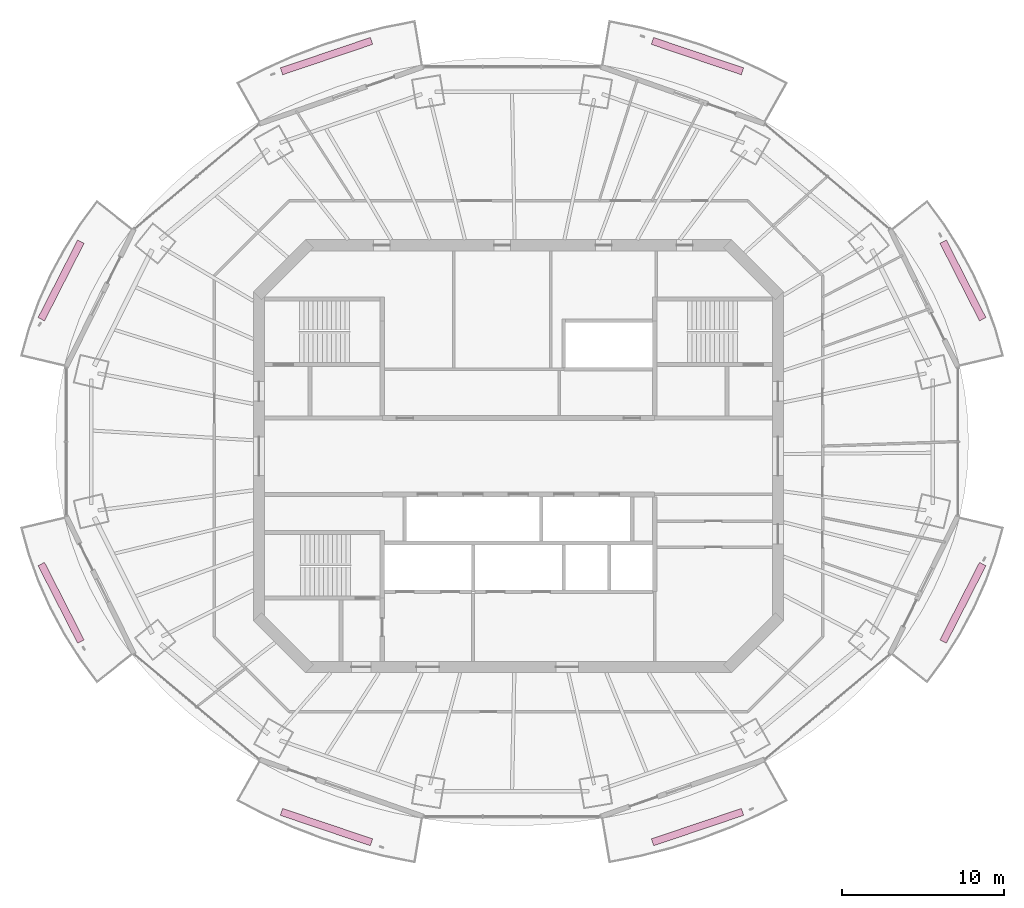
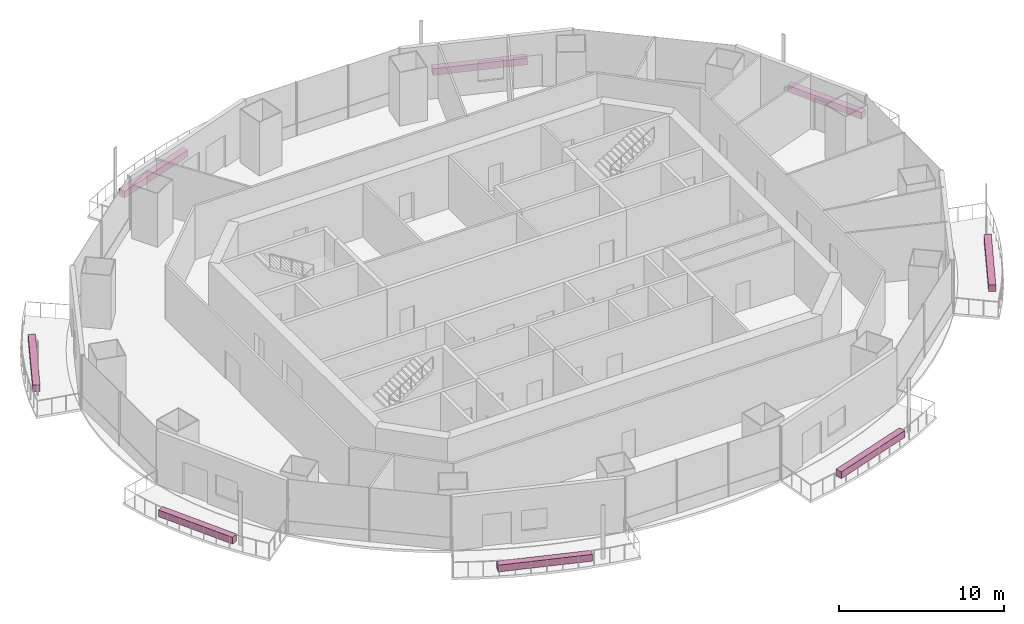
# One storey, part 16 of 16: 8 furnishings.
"""IFC4 building model written with IfcOpenShell, lengths in metres."""

from ifc_helpers import new_model, si_unit, direction, frame, origin, origin_2d, place, context, subcontext, project, spatial, rectangle, extrude, material, type_object, element, save


model = new_model("IFC4")

# Units and contexts
model_context = context("Model", 3, precision=1e-05, world=origin(), true_north=direction((0.0, 1.0)))
body_context = subcontext(model_context, "Body", "Model", "MODEL_VIEW")
ifc_project = project(units=[si_unit("LENGTHUNIT", "METRE"), si_unit("AREAUNIT", "SQUARE_METRE"), si_unit("VOLUMEUNIT", "CUBIC_METRE"), si_unit("PLANEANGLEUNIT", "RADIAN"), si_unit("MASSUNIT", "GRAM", prefix="KILO")], contexts=[model_context])

# Site, building, storey
site_placement = place(None, origin())
site = spatial("IfcSite", under=ifc_project, at=site_placement, CompositionType="ELEMENT")
building_placement = place(site_placement, origin())
building = spatial("IfcBuilding", under=site, at=building_placement, Name="Marenthal Gate Tower", CompositionType="ELEMENT")
storey_placement = place(building_placement, frame((0.0, 0.0, 313.550048828125)))
storey = spatial("IfcBuildingStorey", under=building, at=storey_placement, Name="L70", CompositionType="ELEMENT", Elevation=313.550048828125)

# Furnishings
ifc_material = material(Name="Planting soil and foliage", Category="planting")
furnishing_element_type = type_object("IfcFurnishingElementType", Name="Balcony PLANTER trough", material=ifc_material)
furnishing_1_placement = place(storey_placement, frame((27.406005859375, 10.837158203125, -0.0400390625), z_axis=(0.0, 0.0, 1.0), x_axis=(-0.45438909453, 0.89080331767, 0.0)))
element("IfcFurnishingElement", 1, at=furnishing_1_placement, inside=storey, type_object=furnishing_element_type, Name="Balcony PLANTER L70 bay 1", ObjectType="PLANTER", context=body_context, shape_type="SweptSolid", body=[
    extrude(rectangle(XDim=5.369140625, YDim=0.449951171875, at=origin_2d()), origin(), (0.0, 0.0, 1.0), 0.5),
])
for number, where, z_axis, x_axis, name in (
    (2, (11.038330078125, 24.669921875, -0.0400390625), (0.0, 0.0, 1.0), (-0.947462689864, 0.319866302252, 0.0), "Balcony PLANTER L70 bay 3"),
    (3, (-11.838134765625, 24.669921875, -0.0400390625), (0.0, 0.0, 1.0), (-0.947462689864, -0.319866302252, 0.0), "Balcony PLANTER L70 bay 5"),
):
    element("IfcFurnishingElement", number, at=place(storey_placement, frame(where, z_axis=z_axis, x_axis=x_axis)), inside=storey, type_object=furnishing_element_type, Name=name, ObjectType="PLANTER", context=body_context, shape_type="SweptSolid", body=[
        extrude(rectangle(XDim=5.8564453125, YDim=0.449951171875, at=origin_2d()), origin(), (0.0, 0.0, 1.0), 0.5),
    ])
for number, where, z_axis, x_axis, name in (
    (4, (-28.2060546875, 10.837158203125, -0.0400390625), (0.0, 0.0, 1.0), (-0.45438909453, -0.89080331767, 0.0), "Balcony PLANTER L70 bay 7"),
    (5, (-28.2060546875, -9.037353515625, -0.0400390625), (0.0, 0.0, 1.0), (0.45438909453, -0.89080331767, 0.0), "Balcony PLANTER L70 bay 9"),
):
    element("IfcFurnishingElement", number, at=place(storey_placement, frame(where, z_axis=z_axis, x_axis=x_axis)), inside=storey, type_object=furnishing_element_type, Name=name, ObjectType="PLANTER", context=body_context, shape_type="SweptSolid", body=[
        extrude(rectangle(XDim=5.369140625, YDim=0.449951171875, at=origin_2d()), origin(), (0.0, 0.0, 1.0), 0.5),
    ])
for number, where, z_axis, x_axis, name in (
    (6, (-11.838134765625, -22.869873046875, -0.0400390625), (0.0, 0.0, 1.0), (0.947462689864, -0.319866302252, 0.0), "Balcony PLANTER L70 bay 11"),
    (7, (11.038330078125, -22.869873046875, -0.0400390625), (0.0, 0.0, 1.0), (0.947462689864, 0.319866302252, 0.0), "Balcony PLANTER L70 bay 13"),
):
    element("IfcFurnishingElement", number, at=place(storey_placement, frame(where, z_axis=z_axis, x_axis=x_axis)), inside=storey, type_object=furnishing_element_type, Name=name, ObjectType="PLANTER", context=body_context, shape_type="SweptSolid", body=[
        extrude(rectangle(XDim=5.8564453125, YDim=0.449951171875, at=origin_2d()), origin(), (0.0, 0.0, 1.0), 0.5),
    ])
furnishing_2_placement = place(storey_placement, frame((27.406005859375, -9.037353515625, -0.0400390625), z_axis=(0.0, 0.0, 1.0), x_axis=(0.45438909453, 0.89080331767, 0.0)))
element("IfcFurnishingElement", 8, at=furnishing_2_placement, inside=storey, type_object=furnishing_element_type, Name="Balcony PLANTER L70 bay 15", ObjectType="PLANTER", context=body_context, shape_type="SweptSolid", body=[
    extrude(rectangle(XDim=5.369140625, YDim=0.449951171875, at=origin_2d()), origin(), (0.0, 0.0, 1.0), 0.5),
])

save(model, "model.ifc")
